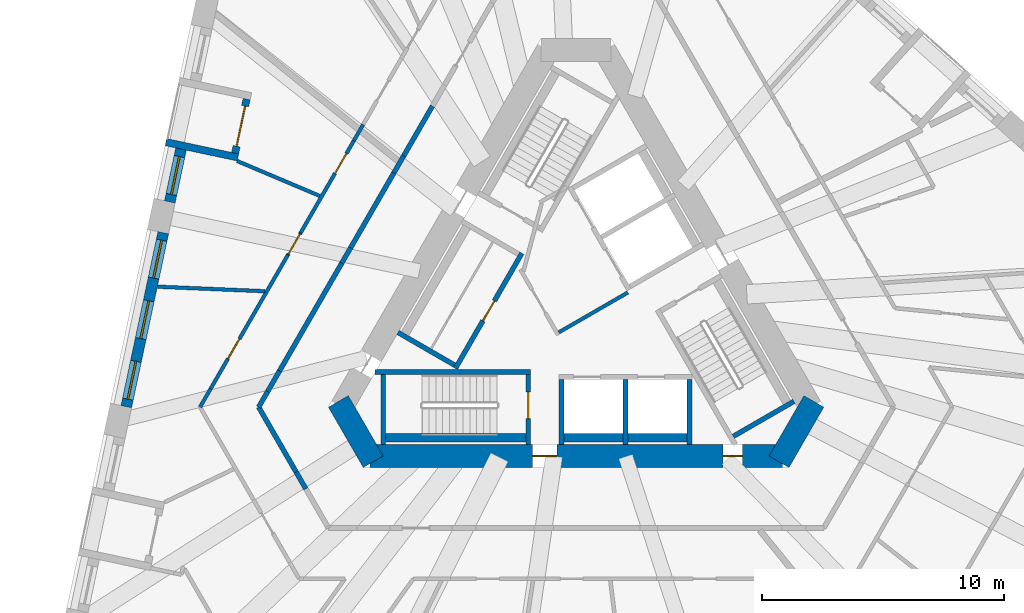
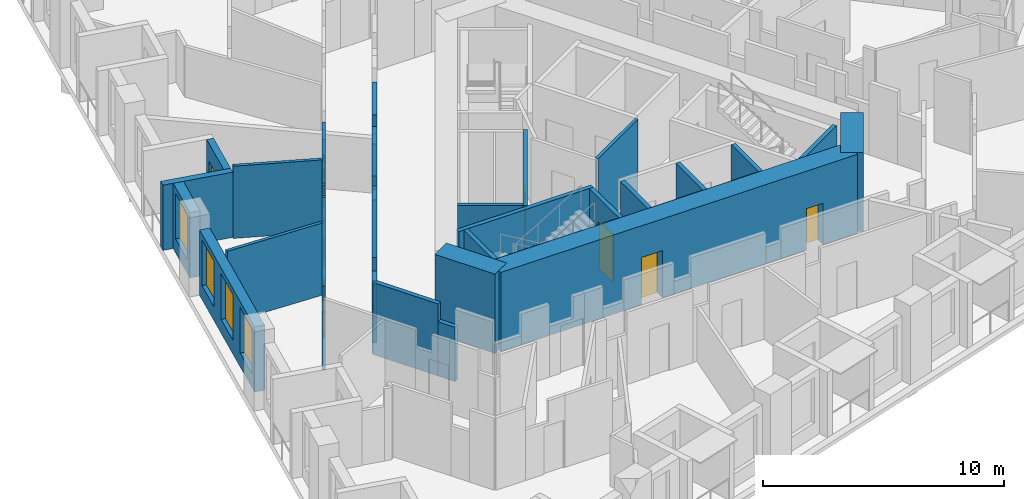
# One storey, part 4 of 13: 35 walls, 8 doors, 4 windows, 12 openings.
"""IFC4 building model written with IfcOpenShell, lengths in metres."""

from ifc_helpers import new_model, si_unit, direction, frame, frame_2d, origin, place, context, subcontext, project, spatial, polyline, rectangle, outline, extrude, material, layer, layer_set, type_object, element, fill, save


model = new_model("IFC4")

# Units and contexts
model_context = context("Model", 3, precision=1e-05, world=origin(), true_north=direction((0.0, 1.0)))
body_context = subcontext(model_context, "Body", "Model", "MODEL_VIEW")
ifc_project = project(units=[si_unit("LENGTHUNIT", "METRE"), si_unit("AREAUNIT", "SQUARE_METRE"), si_unit("VOLUMEUNIT", "CUBIC_METRE"), si_unit("PLANEANGLEUNIT", "RADIAN"), si_unit("MASSUNIT", "GRAM", prefix="KILO")], contexts=[model_context])

# Site, building, storey
site_placement = place(None, origin())
site = spatial("IfcSite", under=ifc_project, at=site_placement, CompositionType="ELEMENT")
building_placement = place(site_placement, origin())
building = spatial("IfcBuilding", under=site, at=building_placement, Name="Tramontana Tower", CompositionType="ELEMENT")
storey_placement = place(building_placement, frame((0.0, 0.0, 112.39990234375)))
storey = spatial("IfcBuildingStorey", under=building, at=storey_placement, Name="L25", CompositionType="ELEMENT", Elevation=112.39990234375)

# Wall
ifc_material_1 = material(Name="Concrete 70 MPa", Category="concrete")
ifc_layer_1 = layer(ifc_material_1, 0.949951171875)
ifc_layer_set_1 = layer_set([ifc_layer_1], Name="Core wall 950 70 MPa")
wall_type_1 = type_object("IfcWallType", Name="Core wall 950 70 MPa", PredefinedType="SHEAR", material=ifc_layer_set_1)
wall_1_placement = place(storey_placement, frame((-9.836669921875, -4.012451171875, 0.0), z_axis=(0.0, 0.0, 1.0), x_axis=(0.499995765644, -0.866027848477, 0.0)))
element("IfcWall", 1, at=wall_1_placement, inside=storey, type_object=wall_type_1, Name="Core wall C2 L25", PredefinedType="SHEAR", context=body_context, shape_type="SweptSolid", body=[
    extrude(rectangle(XDim=2.88671875, YDim=0.949951171875, at=frame_2d((1.443359375, 0.0))), origin(), (0.0, 0.0, 1.0), 4.0),
])

# Wall, openings, doors
wall_2_placement = place(storey_placement, frame((-8.530517578125, -6.27490234375, 0.0), z_axis=(0.0, 0.0, 1.0), x_axis=(1.0, 0.0, 0.0)))
wall_2 = element("IfcWall", 2, at=wall_2_placement, inside=storey, type_object=wall_type_1, Name="Core wall C3 L25", PredefinedType="SHEAR", context=body_context, shape_type="SweptSolid", body=[
    extrude(rectangle(XDim=17.06103515625, YDim=0.949951171875, at=frame_2d((8.530517578125, 0.0))), origin(), (0.0, 0.0, 1.0), 4.0),
])
opening_1_placement = place(wall_2_placement, frame((6.7353515625, 0.0, 0.0)))
opening_1 = element("IfcOpeningElement", 3, at=opening_1_placement, cuts=wall_2, Name="Opening RG2", PredefinedType="OPENING", context=body_context, shape_type="SweptSolid", body=[
    extrude(rectangle(XDim=1.0, YDim=2.39990234375, at=frame_2d((0.5, 1.199951171875))), frame((0.0, 0.48486328125, 0.0), z_axis=(0.0, -1.0, 0.0), x_axis=(1.0, 0.0, 0.0)), (0.0, 0.0, 1.0), 0.969970703125),
])
opening_2_placement = place(wall_2_placement, frame((14.61279296875, 0.0, 0.0)))
opening_2 = element("IfcOpeningElement", 4, at=opening_2_placement, cuts=wall_2, Name="Opening PD2", PredefinedType="OPENING", context=body_context, shape_type="SweptSolid", body=[
    extrude(rectangle(XDim=0.800048828125, YDim=2.10009765625, at=frame_2d((0.39990234375, 1.050048828125))), frame((0.0, 0.48486328125, 0.0), z_axis=(0.0, -1.0, 0.0), x_axis=(1.0, 0.0, 0.0)), (0.0, 0.0, 1.0), 0.969970703125),
])
ifc_material_2 = material(Name="Painted steel", Category="steel")
door_type_1 = type_object("IfcDoorType", Name="CUPBOARD DOOR 800", OperationType="SINGLE_SWING_LEFT", PredefinedType="DOOR", material=ifc_material_2)
door_1_placement = place(opening_2_placement, origin())
door_1 = element("IfcDoor", 5, at=door_1_placement, inside=storey, type_object=door_type_1, Name="Door PD2", OperationType="SINGLE_SWING_RIGHT", OverallHeight=2.10009765625, OverallWidth=0.800048828125, PredefinedType="DOOR", context=body_context, shape_type="SweptSolid", body=[
    extrude(rectangle(XDim=0.800048828125, YDim=2.10009765625, at=frame_2d((0.39990234375, 1.050048828125))), frame((0.0, 0.02490234375, 0.0), z_axis=(0.0, -1.0, 0.0), x_axis=(1.0, 0.0, 0.0)), (0.0, 0.0, 1.0), 0.050048828125),
])
fill(opening_2, door_1)
ifc_material_3 = material(Name="Painted steel", Category="steel")
door_type_2 = type_object("IfcDoorType", Name="RING DOOR 1000", OperationType="SINGLE_SWING_LEFT", PredefinedType="DOOR", material=ifc_material_3)
door_2_placement = place(opening_1_placement, origin())
door_2 = element("IfcDoor", 6, at=door_2_placement, inside=storey, type_object=door_type_2, Name="Door RG2", OperationType="SINGLE_SWING_LEFT", OverallHeight=2.39990234375, OverallWidth=1.0, PredefinedType="DOOR", context=body_context, shape_type="SweptSolid", body=[
    extrude(rectangle(XDim=1.0, YDim=2.39990234375, at=frame_2d((0.5, 1.199951171875))), frame((0.0, 0.02490234375, 0.0), z_axis=(0.0, -1.0, 0.0), x_axis=(1.0, 0.0, 0.0)), (0.0, 0.0, 1.0), 0.050048828125),
])
fill(opening_1, door_2)

# Walls
wall_3_placement = place(storey_placement, frame((8.393310546875, -6.512451171875, 0.0), z_axis=(0.0, 0.0, 1.0), x_axis=(0.499995765644, 0.866027848477, 0.0)))
element("IfcWall", 7, at=wall_3_placement, inside=storey, type_object=wall_type_1, Name="Core wall C4 L25", PredefinedType="SHEAR", context=body_context, shape_type="SweptSolid", body=[
    extrude(rectangle(XDim=2.88671875, YDim=0.949951171875, at=frame_2d((1.443359375, 0.0))), origin(), (0.0, 0.0, 1.0), 4.0),
])
ifc_material_4 = material(Name="Blockwork", Category="masonry")
ifc_layer_2 = layer(ifc_material_4, 0.199951171875)
ifc_layer_set_2 = layer_set([ifc_layer_2], Name="ENTRY WALL 200")
wall_type_2 = type_object("IfcWallType", Name="ENTRY WALL 200", PredefinedType="SOLIDWALL", material=ifc_layer_set_2)
wall_4_placement = place(storey_placement, frame((-11.181884765625, -7.63232421875, 0.0), z_axis=(0.0, 0.0, 1.0), x_axis=(-0.499942357345, 0.866058681229, 0.0)))
element("IfcWall", 8, at=wall_4_placement, inside=storey, type_object=wall_type_2, Name="Wall v22-ew3-2", PredefinedType="SOLIDWALL", context=body_context, shape_type="SweptSolid", body=[
    extrude(rectangle(XDim=0.80078125, YDim=0.199951171875, at=frame_2d((0.400390625, 0.0))), origin(), (0.0, 0.0, 1.0), 2.75),
])
wall_5_placement = place(storey_placement, frame((-11.582275390625, -6.938720703125, 0.0), z_axis=(0.0, 0.0, 1.0), x_axis=(-0.500037831766, 0.866003560503, 0.0)))
element("IfcWall", 9, at=wall_5_placement, inside=storey, type_object=wall_type_2, Name="Wall v22-ew3-3", PredefinedType="SOLIDWALL", context=body_context, shape_type="SweptSolid", body=[
    extrude(rectangle(XDim=3.104736328125, YDim=0.199951171875, at=frame_2d((1.55224609375, 0.0))), origin(), (0.0, 0.0, 1.0), 3.650146484375),
])
wall_6_placement = place(storey_placement, frame((-13.134765625, -4.25, 0.0), z_axis=(0.0, 0.0, 1.0), x_axis=(0.499987686533, 0.866032512851, 0.0)))
element("IfcWall", 10, at=wall_6_placement, inside=storey, type_object=wall_type_2, Name="Wall v22-ew4-0", PredefinedType="SOLIDWALL", context=body_context, shape_type="SweptSolid", body=[
    extrude(rectangle(XDim=0.74365234375, YDim=0.199951171875, at=frame_2d((0.371826171875, 0.0))), origin(), (0.0, 0.0, 1.0), 3.650146484375),
])
wall_7_placement = place(storey_placement, frame((-12.762939453125, -3.60595703125, 0.0), z_axis=(0.0, 0.0, 1.0), x_axis=(0.500061185694, 0.865990075325, 0.0)))
element("IfcWall", 11, at=wall_7_placement, inside=storey, type_object=wall_type_2, Name="Wall v22-ew4-1", PredefinedType="SOLIDWALL", context=body_context, shape_type="SweptSolid", body=[
    extrude(rectangle(XDim=0.9775390625, YDim=0.199951171875, at=frame_2d((0.48876953125, 0.0))), origin(), (0.0, 0.0, 1.0), 2.9501953125),
])
wall_8_placement = place(storey_placement, frame((-12.274169921875, -2.759521484375, 0.0), z_axis=(0.0, 0.0, 1.0), x_axis=(0.500001317485, 0.866024643133, 0.0)))
element("IfcWall", 12, at=wall_8_placement, inside=storey, type_object=wall_type_2, Name="Wall v22-ew4-2", PredefinedType="SOLIDWALL", context=body_context, shape_type="SweptSolid", body=[
    extrude(rectangle(XDim=5.1533203125, YDim=0.199951171875, at=frame_2d((2.57666015625, 0.0))), origin(), (0.0, 0.0, 1.0), 3.650146484375),
])
wall_9_placement = place(storey_placement, frame((-9.697509765625, 1.703369140625, 0.0), z_axis=(0.0, 0.0, 1.0), x_axis=(0.499885169746, 0.866091690913, 0.0)))
element("IfcWall", 13, at=wall_9_placement, inside=storey, type_object=wall_type_2, Name="Wall v22-ew4-3", PredefinedType="SOLIDWALL", context=body_context, shape_type="SweptSolid", body=[
    extrude(rectangle(XDim=0.736083984375, YDim=0.199951171875, at=frame_2d((0.3681640625, 0.0))), origin(), (0.0, 0.0, 1.0), 2.9501953125),
])
wall_10_placement = place(storey_placement, frame((-9.32958984375, 2.3408203125, 0.0), z_axis=(0.0, 0.0, 1.0), x_axis=(0.500029679218, 0.866008267802, 0.0)))
element("IfcWall", 14, at=wall_10_placement, inside=storey, type_object=wall_type_2, Name="Wall v22-ew4-4", PredefinedType="SOLIDWALL", context=body_context, shape_type="SweptSolid", body=[
    extrude(rectangle(XDim=3.576904296875, YDim=0.199951171875, at=frame_2d((1.78857421875, 0.0))), origin(), (0.0, 0.0, 1.0), 3.650146484375),
])
wall_11_placement = place(storey_placement, frame((-7.541015625, 5.4384765625, 0.0), z_axis=(0.0, 0.0, 1.0), x_axis=(0.499809598504, 0.866135304236, 0.0)))
element("IfcWall", 15, at=wall_11_placement, inside=storey, type_object=wall_type_2, Name="Wall v22-ew4-5", PredefinedType="SOLIDWALL", context=body_context, shape_type="SweptSolid", body=[
    extrude(rectangle(XDim=0.808349609375, YDim=0.199951171875, at=frame_2d((0.404296875, 0.0))), origin(), (0.0, 0.0, 1.0), 2.75),
])
wall_12_placement = place(storey_placement, frame((-7.136962890625, 6.138671875, 0.0), z_axis=(0.0, 0.0, 1.0), x_axis=(0.500035462246, 0.866004928679, 0.0)))
element("IfcWall", 16, at=wall_12_placement, inside=storey, type_object=wall_type_2, Name="Wall v22-ew4-6", PredefinedType="SOLIDWALL", context=body_context, shape_type="SweptSolid", body=[
    extrude(rectangle(XDim=2.385498046875, YDim=0.199951171875, at=frame_2d((1.19287109375, 0.0))), origin(), (0.0, 0.0, 1.0), 3.650146484375),
])

# Wall, opening, window
ifc_material_5 = material(Name="Precast concrete 60 MPa", Category="concrete")
ifc_layer_3 = layer(ifc_material_5, 0.449951171875)
ifc_layer_set_3 = layer_set([ifc_layer_3], Name="Precast concrete 60 MPa, 450 mm")
wall_type_3 = type_object("IfcWallType", Name="EW1 Stone-faced precast wall 450", PredefinedType="SOLIDWALL", material=ifc_layer_set_3)
wall_13_placement = place(storey_placement, frame((-16.34619140625, 6.42578125, 0.0), z_axis=(0.0, 0.0, 1.0), x_axis=(-0.207918801611, -0.978146089261, 0.0)))
wall_13 = element("IfcWall", 17, at=wall_13_placement, inside=storey, type_object=wall_type_3, Name="External wall L25 face 0 bay 3", PredefinedType="SOLIDWALL", context=body_context, shape_type="SweptSolid", body=[
    extrude(rectangle(XDim=2.23681640625, YDim=0.449951171875, at=frame_2d((1.118408203125, 0.0))), origin(), (0.0, 0.0, 1.0), 3.300048828125),
])
opening_3_placement = place(wall_13_placement, frame((0.318359375, 0.0, 0.699951171875)))
opening_3 = element("IfcOpeningElement", 18, at=opening_3_placement, cuts=wall_13, Name="Opening M1", PredefinedType="OPENING", context=body_context, shape_type="SweptSolid", body=[
    extrude(rectangle(XDim=1.60009765625, YDim=2.300048828125, at=frame_2d((0.800048828125, 1.14990234375))), frame((0.0, 0.23486328125, 0.0), z_axis=(0.0, -1.0, 0.0), x_axis=(1.0, 0.0, 0.0)), (0.0, 0.0, 1.0), 0.469970703125),
])
ifc_material_6 = material(Name="Aluminum frame, double glazing unit", Category="aluminium")
window_type = type_object("IfcWindowType", Name="M1 Window 1.6 x 2.3", PartitioningType="SINGLE_PANEL", PredefinedType="WINDOW", material=ifc_material_6)
window_1_placement = place(opening_3_placement, origin())
window_1 = element("IfcWindow", 19, at=window_1_placement, inside=storey, type_object=window_type, Name="Window M1 L25 face 0 module 9", OverallHeight=2.300048828125, OverallWidth=1.60009765625, PartitioningType="SINGLE_PANEL", PredefinedType="WINDOW", context=body_context, shape_type="SweptSolid", body=[
    extrude(rectangle(XDim=1.60009765625, YDim=2.300048828125, at=frame_2d((0.800048828125, 1.14990234375))), frame((0.0, 0.030029296875, 0.0), z_axis=(0.0, -1.0, 0.0), x_axis=(1.0, 0.0, 0.0)), (0.0, 0.0, 1.0), 0.06005859375),
])
fill(opening_3, window_1)

# Wall, openings, windows
wall_14_placement = place(storey_placement, frame((-17.08154296875, 2.96630859375, 0.0), z_axis=(0.0, 0.0, 1.0), x_axis=(-0.207909137741, -0.978148143403, 0.0)))
wall_14 = element("IfcWall", 20, at=wall_14_placement, inside=storey, type_object=wall_type_3, Name="External wall L25 face 0 bay 4", PredefinedType="SOLIDWALL", context=body_context, shape_type="SweptSolid", body=[
    extrude(rectangle(XDim=7.3603515625, YDim=0.449951171875, at=frame_2d((3.68017578125, 0.0))), origin(), (0.0, 0.0, 1.0), 3.300048828125),
])
opening_4_placement = place(wall_14_placement, frame((0.318359375, 0.0, 0.699951171875)))
opening_4 = element("IfcOpeningElement", 21, at=opening_4_placement, cuts=wall_14, Name="Opening M1", PredefinedType="OPENING", context=body_context, shape_type="SweptSolid", body=[
    extrude(rectangle(XDim=1.60009765625, YDim=2.300048828125, at=frame_2d((0.800048828125, 1.14990234375))), frame((0.0, 0.23486328125, 0.0), z_axis=(0.0, -1.0, 0.0), x_axis=(1.0, 0.0, 0.0)), (0.0, 0.0, 1.0), 0.469970703125),
])
opening_5_placement = place(wall_14_placement, frame((2.880126953125, 0.0, 0.699951171875)))
opening_5 = element("IfcOpeningElement", 22, at=opening_5_placement, cuts=wall_14, Name="Opening M1", PredefinedType="OPENING", context=body_context, shape_type="SweptSolid", body=[
    extrude(rectangle(XDim=1.60009765625, YDim=2.300048828125, at=frame_2d((0.800048828125, 1.14990234375))), frame((0.0, 0.23486328125, 0.0), z_axis=(0.0, -1.0, 0.0), x_axis=(1.0, 0.0, 0.0)), (0.0, 0.0, 1.0), 0.469970703125),
])
opening_6_placement = place(wall_14_placement, frame((5.44189453125, 0.0, 0.699951171875)))
opening_6 = element("IfcOpeningElement", 23, at=opening_6_placement, cuts=wall_14, Name="Opening M1", PredefinedType="OPENING", context=body_context, shape_type="SweptSolid", body=[
    extrude(rectangle(XDim=1.60009765625, YDim=2.300048828125, at=frame_2d((0.800048828125, 1.14990234375))), frame((0.0, 0.23486328125, 0.0), z_axis=(0.0, -1.0, 0.0), x_axis=(1.0, 0.0, 0.0)), (0.0, 0.0, 1.0), 0.469970703125),
])
window_2_placement = place(opening_4_placement, origin())
window_2 = element("IfcWindow", 24, at=window_2_placement, inside=storey, type_object=window_type, Name="Window M1 L25 face 0 module 10", OverallHeight=2.300048828125, OverallWidth=1.60009765625, PartitioningType="SINGLE_PANEL", PredefinedType="WINDOW", context=body_context, shape_type="SweptSolid", body=[
    extrude(rectangle(XDim=1.60009765625, YDim=2.300048828125, at=frame_2d((0.800048828125, 1.14990234375))), frame((0.0, 0.030029296875, 0.0), z_axis=(0.0, -1.0, 0.0), x_axis=(1.0, 0.0, 0.0)), (0.0, 0.0, 1.0), 0.06005859375),
])
fill(opening_4, window_2)
window_3_placement = place(opening_5_placement, origin())
window_3 = element("IfcWindow", 25, at=window_3_placement, inside=storey, type_object=window_type, Name="Window M1 L25 face 0 module 11", OverallHeight=2.300048828125, OverallWidth=1.60009765625, PartitioningType="SINGLE_PANEL", PredefinedType="WINDOW", context=body_context, shape_type="SweptSolid", body=[
    extrude(rectangle(XDim=1.60009765625, YDim=2.300048828125, at=frame_2d((0.800048828125, 1.14990234375))), frame((0.0, 0.030029296875, 0.0), z_axis=(0.0, -1.0, 0.0), x_axis=(1.0, 0.0, 0.0)), (0.0, 0.0, 1.0), 0.06005859375),
])
fill(opening_5, window_3)
window_4_placement = place(opening_6_placement, origin())
window_4 = element("IfcWindow", 26, at=window_4_placement, inside=storey, type_object=window_type, Name="Window M1 L25 face 0 module 12", OverallHeight=2.300048828125, OverallWidth=1.60009765625, PartitioningType="SINGLE_PANEL", PredefinedType="WINDOW", context=body_context, shape_type="SweptSolid", body=[
    extrude(rectangle(XDim=1.60009765625, YDim=2.300048828125, at=frame_2d((0.800048828125, 1.14990234375))), frame((0.0, 0.030029296875, 0.0), z_axis=(0.0, -1.0, 0.0), x_axis=(1.0, 0.0, 0.0)), (0.0, 0.0, 1.0), 0.06005859375),
])
fill(opening_6, window_4)

# Wall, opening, door
ifc_material_7 = material(Name="Precast concrete 60 MPa", Category="concrete")
ifc_layer_4 = layer(ifc_material_7, 0.300048828125)
ifc_layer_set_4 = layer_set([ifc_layer_4], Name="LW1 Stone-faced loggia wall 300")
wall_type_4 = type_object("IfcWallType", Name="LW1 Stone-faced loggia wall 300", PredefinedType="SOLIDWALL", material=ifc_layer_set_4)
wall_15_placement = place(storey_placement, frame((-13.632080078125, 8.493408203125, 0.0), z_axis=(0.0, 0.0, 1.0), x_axis=(-0.207866417042, -0.978157222877, 0.0)))
wall_15 = element("IfcWall", 27, at=wall_15_placement, inside=storey, type_object=wall_type_4, Name="Loggia wall L25 G2S0.7", PredefinedType="SOLIDWALL", context=body_context, shape_type="SweptSolid", body=[
    extrude(rectangle(XDim=2.286865234375, YDim=0.300048828125, at=frame_2d((1.1435546875, 0.0))), origin(), (0.0, 0.0, 1.0), 3.300048828125),
])
opening_7_placement = place(wall_15_placement, frame((0.29345703125, 0.0, 0.0)))
opening_7 = element("IfcOpeningElement", 28, at=opening_7_placement, cuts=wall_15, Name="Opening BD-2S0-07", PredefinedType="OPENING", context=body_context, shape_type="SweptSolid", body=[
    extrude(rectangle(XDim=1.699951171875, YDim=2.39990234375, at=frame_2d((0.85009765625, 1.199951171875))), frame((0.0, 0.159912109375, 0.0), z_axis=(0.0, -1.0, 0.0), x_axis=(1.0, 0.0, 0.0)), (0.0, 0.0, 1.0), 0.320068359375),
])
ifc_material_8 = material(Name="Aluminum frame, double glazing unit", Category="aluminium")
door_type_3 = type_object("IfcDoorType", Name="BD1 Sliding door 1.7 x 2.4", OperationType="SLIDING_TO_LEFT", PredefinedType="DOOR", material=ifc_material_8)
door_3_placement = place(opening_7_placement, origin())
door_3 = element("IfcDoor", 29, at=door_3_placement, inside=storey, type_object=door_type_3, Name="Loggia door L25 G2S0.7", OperationType="SLIDING_TO_LEFT", OverallHeight=2.39990234375, OverallWidth=1.699951171875, PredefinedType="DOOR", context=body_context, shape_type="SweptSolid", body=[
    extrude(rectangle(XDim=1.699951171875, YDim=2.39990234375, at=frame_2d((0.85009765625, 1.199951171875))), frame((0.0, 0.02490234375, 0.0), z_axis=(0.0, -1.0, 0.0), x_axis=(1.0, 0.0, 0.0)), (0.0, 0.0, 1.0), 0.050048828125),
])
fill(opening_7, door_3)

# Walls
wall_16_placement = place(storey_placement, frame((-16.975341796875, 6.712890625, 0.0), z_axis=(0.0, 0.0, 1.0), x_axis=(0.978138503145, -0.207954487003, 0.0)))
element("IfcWall", 30, at=wall_16_placement, inside=storey, type_object=wall_type_4, Name="Loggia return L25 G2S0.7b", PredefinedType="SOLIDWALL", context=body_context, shape_type="SweptSolid", body=[
    extrude(rectangle(XDim=3.050048828125, YDim=0.300048828125, at=frame_2d((1.52490234375, 0.0))), origin(), (0.0, 0.0, 1.0), 3.300048828125),
])
ifc_material_9 = material(Name="Gypsum board partition")
ifc_layer_5 = layer(ifc_material_9, 0.14990234375)
ifc_layer_set_5 = layer_set([ifc_layer_5], Name="PARTITION 150")
wall_type_5 = type_object("IfcWallType", Name="PARTITION 150", PredefinedType="PARTITIONING", material=ifc_layer_set_5)
wall_17_placement = place(storey_placement, frame((-0.716796875, -1.15869140625, 0.0), z_axis=(0.0, 0.0, 1.0), x_axis=(0.866008176907, 0.50002983664, 0.0)))
element("IfcWall", 31, at=wall_17_placement, inside=storey, type_object=wall_type_5, Name="Wall ff-end0", PredefinedType="PARTITIONING", context=body_context, shape_type="SweptSolid", body=[
    extrude(rectangle(XDim=3.300048828125, YDim=0.14990234375, at=frame_2d((1.64990234375, 0.0))), origin(), (0.0, 0.0, 1.0), 3.650146484375),
])
wall_18_placement = place(storey_placement, frame((-17.326416015625, 0.731689453125, 0.0), z_axis=(0.0, 0.0, 1.0), x_axis=(0.999108089959, -0.042225875694, 0.0)))
element("IfcWall", 32, at=wall_18_placement, inside=storey, type_object=wall_type_5, Name="Wall v22-pw00", PredefinedType="PARTITIONING", context=body_context, shape_type="SweptSolid", body=[
    extrude(rectangle(XDim=4.451904296875, YDim=0.14990234375, at=frame_2d((2.22607421875, 0.0))), origin(), (0.0, 0.0, 1.0), 3.650146484375),
])
wall_19_placement = place(storey_placement, frame((-15.5595703125, -4.25, 0.0), z_axis=(0.0, 0.0, 1.0), x_axis=(0.499884524299, 0.866092063448, 0.0)))
element("IfcWall", 33, at=wall_19_placement, inside=storey, type_object=wall_type_5, Name="Wall v22-pw04-0", PredefinedType="PARTITIONING", context=body_context, shape_type="SweptSolid", body=[
    extrude(rectangle(XDim=0.869384765625, YDim=0.14990234375, at=frame_2d((0.4345703125, 0.0))), origin(), (0.0, 0.0, 1.0), 2.9501953125),
])

# Wall, opening, door
wall_20_placement = place(storey_placement, frame((-15.125, -3.4970703125, 0.0), z_axis=(0.0, 0.0, 1.0), x_axis=(0.500005447918, 0.866022258404, 0.0)))
wall_20 = element("IfcWall", 34, at=wall_20_placement, inside=storey, type_object=wall_type_5, Name="Wall v22-pw04-1", PredefinedType="PARTITIONING", context=body_context, shape_type="SweptSolid", body=[
    extrude(rectangle(XDim=6.3974609375, YDim=0.14990234375, at=frame_2d((3.19873046875, 0.0))), origin(), (0.0, 0.0, 1.0), 3.650146484375),
])
opening_8_placement = place(wall_20_placement, frame((1.44287109375, 0.0, 0.0)))
opening_8 = element("IfcOpeningElement", 35, at=opening_8_placement, cuts=wall_20, Name="Opening B2C-09", PredefinedType="OPENING", context=body_context, shape_type="SweptSolid", body=[
    extrude(rectangle(XDim=0.949951171875, YDim=2.39990234375, at=frame_2d((0.47509765625, 1.199951171875))), frame((0.0, 0.0849609375, 0.0), z_axis=(0.0, -1.0, 0.0), x_axis=(1.0, 0.0, 0.0)), (0.0, 0.0, 1.0), 0.169921875),
])
ifc_material_10 = material(Name="Painted timber", Category="wood")
door_type_4 = type_object("IfcDoorType", Name="DOOR ROOM 950", OperationType="SINGLE_SWING_LEFT", PredefinedType="DOOR", material=ifc_material_10)
door_4_placement = place(opening_8_placement, origin())
door_4 = element("IfcDoor", 36, at=door_4_placement, inside=storey, type_object=door_type_4, Name="Door B2C-09", OperationType="SINGLE_SWING_LEFT", OverallHeight=2.39990234375, OverallWidth=0.949951171875, PredefinedType="DOOR", context=body_context, shape_type="SweptSolid", body=[
    extrude(rectangle(XDim=0.949951171875, YDim=2.39990234375, at=frame_2d((0.47509765625, 1.199951171875))), frame((0.0, 0.02490234375, 0.0), z_axis=(0.0, -1.0, 0.0), x_axis=(1.0, 0.0, 0.0)), (0.0, 0.0, 1.0), 0.050048828125),
])
fill(opening_8, door_4)

wall_21_placement = place(storey_placement, frame((-11.92626953125, 2.043212890625, 0.0), z_axis=(0.0, 0.0, 1.0), x_axis=(0.500165247297, 0.86592997719, 0.0)))
wall_21 = element("IfcWall", 37, at=wall_21_placement, inside=storey, type_object=wall_type_5, Name="Wall v22-pw04-2", PredefinedType="PARTITIONING", context=body_context, shape_type="SweptSolid", body=[
    extrude(outline(polyline([(0.0, 0.0), (1.050048828125, 0.0), (1.050048828125, 3.650146484375), (0.86083984375, 3.650146484375), (0.86083984375, 2.9501953125), (0.15087890625, 2.9501953125), (0.15087890625, 3.650146484375), (0.0, 3.650146484375), (0.0, 0.0)])), frame((0.0, 0.074951171875, 0.0), z_axis=(0.0, -1.0, 0.0), x_axis=(1.0, 0.0, 0.0)), (0.0, 0.0, 1.0), 0.14990234375),
])
opening_9_placement = place(wall_21_placement, frame((0.050048828125, 0.0, 0.0)))
opening_9 = element("IfcOpeningElement", 38, at=opening_9_placement, cuts=wall_21, Name="Opening B2C-10", PredefinedType="OPENING", context=body_context, shape_type="SweptSolid", body=[
    extrude(rectangle(XDim=0.949951171875, YDim=2.39990234375, at=frame_2d((0.47509765625, 1.199951171875))), frame((0.0, 0.0849609375, 0.0), z_axis=(0.0, -1.0, 0.0), x_axis=(1.0, 0.0, 0.0)), (0.0, 0.0, 1.0), 0.169921875),
])
door_5_placement = place(opening_9_placement, origin())
door_5 = element("IfcDoor", 39, at=door_5_placement, inside=storey, type_object=door_type_4, Name="Door B2C-10", OperationType="SINGLE_SWING_RIGHT", OverallHeight=2.39990234375, OverallWidth=0.949951171875, PredefinedType="DOOR", context=body_context, shape_type="SweptSolid", body=[
    extrude(rectangle(XDim=0.949951171875, YDim=2.39990234375, at=frame_2d((0.47509765625, 1.199951171875))), frame((0.0, 0.02490234375, 0.0), z_axis=(0.0, -1.0, 0.0), x_axis=(1.0, 0.0, 0.0)), (0.0, 0.0, 1.0), 0.050048828125),
])
fill(opening_9, door_5)

wall_22_placement = place(storey_placement, frame((-11.401123046875, 2.952392578125, 0.0), z_axis=(0.0, 0.0, 1.0), x_axis=(0.499957765443, 0.866049786544, 0.0)))
wall_22 = element("IfcWall", 40, at=wall_22_placement, inside=storey, type_object=wall_type_5, Name="Wall v22-pw04-3", PredefinedType="PARTITIONING", context=body_context, shape_type="SweptSolid", body=[
    extrude(rectangle(XDim=4.40087890625, YDim=0.14990234375, at=frame_2d((2.200439453125, 0.0))), origin(), (0.0, 0.0, 1.0), 3.650146484375),
])
opening_10_placement = place(wall_22_placement, frame((2.847900390625, 0.0, 0.0)))
opening_10 = element("IfcOpeningElement", 41, at=opening_10_placement, cuts=wall_22, Name="Opening B2C-11", PredefinedType="OPENING", context=body_context, shape_type="SweptSolid", body=[
    extrude(rectangle(XDim=0.949951171875, YDim=2.39990234375, at=frame_2d((0.47509765625, 1.199951171875))), frame((0.0, 0.0849609375, 0.0), z_axis=(0.0, -1.0, 0.0), x_axis=(1.0, 0.0, 0.0)), (0.0, 0.0, 1.0), 0.169921875),
])
door_6_placement = place(opening_10_placement, origin())
door_6 = element("IfcDoor", 42, at=door_6_placement, inside=storey, type_object=door_type_4, Name="Door B2C-11", OperationType="SINGLE_SWING_LEFT", OverallHeight=2.39990234375, OverallWidth=0.949951171875, PredefinedType="DOOR", context=body_context, shape_type="SweptSolid", body=[
    extrude(rectangle(XDim=0.949951171875, YDim=2.39990234375, at=frame_2d((0.47509765625, 1.199951171875))), frame((0.0, 0.02490234375, 0.0), z_axis=(0.0, -1.0, 0.0), x_axis=(1.0, 0.0, 0.0)), (0.0, 0.0, 1.0), 0.050048828125),
])
fill(opening_10, door_6)

# Walls
wall_23_placement = place(storey_placement, frame((-9.200927734375, 6.763671875, 0.0), z_axis=(0.0, 0.0, 1.0), x_axis=(0.500028278809, 0.866009076391, 0.0)))
element("IfcWall", 43, at=wall_23_placement, inside=storey, type_object=wall_type_5, Name="Wall v22-pw04-4", PredefinedType="PARTITIONING", context=body_context, shape_type="SweptSolid", body=[
    extrude(rectangle(XDim=0.783203125, YDim=0.14990234375, at=frame_2d((0.3916015625, 0.0))), origin(), (0.0, 0.0, 1.0), 2.75),
])
wall_24_placement = place(storey_placement, frame((-14.023193359375, 5.931884765625, 0.0), z_axis=(0.0, 0.0, 1.0), x_axis=(0.920988119106, -0.389590662704, 0.0)))
element("IfcWall", 44, at=wall_24_placement, inside=storey, type_object=wall_type_5, Name="Wall v22-pw05", PredefinedType="PARTITIONING", context=body_context, shape_type="SweptSolid", body=[
    extrude(rectangle(XDim=3.713623046875, YDim=0.14990234375, at=frame_2d((1.85693359375, 0.0))), origin(), (0.0, 0.0, 1.0), 3.650146484375),
])
ifc_material_11 = material(Name="Concrete 70 MPa", Category="concrete")
ifc_layer_6 = layer(ifc_material_11, 0.35009765625)
ifc_layer_set_6 = layer_set([ifc_layer_6], Name="Concrete 70 MPa, 350 mm")
wall_type_6 = type_object("IfcWallType", Name="RC SHAFT BACK WALL 350", PredefinedType="SOLIDWALL", material=ifc_layer_set_6)
wall_25_placement = place(storey_placement, frame((-8.080078125, -5.52490234375, 0.0), z_axis=(0.0, 0.0, 1.0), x_axis=(1.0, 0.0, 0.0)))
element("IfcWall", 45, at=wall_25_placement, inside=storey, type_object=wall_type_6, Name="Wall st2-back", PredefinedType="SOLIDWALL", context=body_context, shape_type="SweptSolid", body=[
    extrude(rectangle(XDim=6.2001953125, YDim=0.35009765625, at=frame_2d((3.10009765625, 0.0))), origin(), (0.0, 0.0, 1.0), 3.650146484375),
])
wall_26_placement = place(storey_placement, frame((-0.7099609375, -5.52490234375, 0.0), z_axis=(0.0, 0.0, 1.0), x_axis=(1.0, 0.0, 0.0)))
element("IfcWall", 46, at=wall_26_placement, inside=storey, type_object=wall_type_6, Name="Wall row1-back", PredefinedType="SOLIDWALL", context=body_context, shape_type="SweptSolid", body=[
    extrude(rectangle(XDim=5.5, YDim=0.35009765625, at=frame_2d((2.75, 0.0))), origin(), (0.0, 0.0, 1.0), 3.650146484375),
])
ifc_material_12 = material(Name="Concrete 70 MPa", Category="concrete")
ifc_layer_7 = layer(ifc_material_12, 0.199951171875)
ifc_layer_set_7 = layer_set([ifc_layer_7], Name="Concrete 70 MPa, 200 mm")
wall_type_7 = type_object("IfcWallType", Name="RC STAIR AND SHAFT WALL 200", PredefinedType="SOLIDWALL", material=ifc_layer_set_7)
wall_27_placement = place(storey_placement, frame((-8.31396484375, -2.800048828125, 0.0), z_axis=(0.0, 0.0, 1.0), x_axis=(1.0, 0.0, 0.0)))
element("IfcWall", 47, at=wall_27_placement, inside=storey, type_object=wall_type_7, Name="Wall st2-front", PredefinedType="SOLIDWALL", context=body_context, shape_type="SweptSolid", body=[
    extrude(rectangle(XDim=6.43408203125, YDim=0.199951171875, at=frame_2d((3.217041015625, 0.0))), origin(), (0.0, 0.0, 1.0), 3.650146484375),
])
wall_28_placement = place(storey_placement, frame((-7.97998046875, -2.89990234375, 0.0), z_axis=(0.0, 0.0, 1.0), x_axis=(0.0, -1.0, 0.0)))
element("IfcWall", 48, at=wall_28_placement, inside=storey, type_object=wall_type_7, Name="Wall st2-far", PredefinedType="SOLIDWALL", context=body_context, shape_type="SweptSolid", body=[
    extrude(rectangle(XDim=2.900146484375, YDim=0.199951171875, at=frame_2d((1.4501953125, 0.0))), origin(), (0.0, 0.0, 1.0), 3.650146484375),
])

# Wall, opening, door
wall_29_placement = place(storey_placement, frame((-1.97998046875, -2.89990234375, 0.0), z_axis=(0.0, 0.0, 1.0), x_axis=(0.0, -1.0, 0.0)))
wall_29 = element("IfcWall", 49, at=wall_29_placement, inside=storey, type_object=wall_type_7, Name="Wall st2-near", PredefinedType="SOLIDWALL", context=body_context, shape_type="SweptSolid", body=[
    extrude(rectangle(XDim=2.900146484375, YDim=0.199951171875, at=frame_2d((1.4501953125, 0.0))), origin(), (0.0, 0.0, 1.0), 3.650146484375),
])
opening_11_placement = place(wall_29_placement, frame((0.72509765625, 0.0, 0.0)))
opening_11 = element("IfcOpeningElement", 50, at=opening_11_placement, cuts=wall_29, Name="Opening SD2", PredefinedType="OPENING", context=body_context, shape_type="SweptSolid", body=[
    extrude(rectangle(XDim=1.10009765625, YDim=2.39990234375, at=frame_2d((0.550048828125, 1.199951171875))), frame((0.0, 0.10986328125, 0.0), z_axis=(0.0, -1.0, 0.0), x_axis=(1.0, 0.0, 0.0)), (0.0, 0.0, 1.0), 0.219970703125),
])
ifc_material_13 = material(Name="Painted steel", Category="steel")
door_type_5 = type_object("IfcDoorType", Name="STAIR DOOR 1100", OperationType="SINGLE_SWING_LEFT", PredefinedType="DOOR", material=ifc_material_13)
door_7_placement = place(opening_11_placement, origin())
door_7 = element("IfcDoor", 51, at=door_7_placement, inside=storey, type_object=door_type_5, Name="Door SD2", OperationType="SINGLE_SWING_LEFT", OverallHeight=2.39990234375, OverallWidth=1.10009765625, PredefinedType="DOOR", context=body_context, shape_type="SweptSolid", body=[
    extrude(rectangle(XDim=1.10009765625, YDim=2.39990234375, at=frame_2d((0.550048828125, 1.199951171875))), frame((0.0, 0.02490234375, 0.0), z_axis=(0.0, -1.0, 0.0), x_axis=(1.0, 0.0, 0.0)), (0.0, 0.0, 1.0), 0.050048828125),
])
fill(opening_11, door_7)

# Wall
wall_30_placement = place(storey_placement, frame((6.50146484375, -5.4609375, 0.0), z_axis=(0.0, 0.0, 1.0), x_axis=(0.866032775405, 0.499987231761, 0.0)))
element("IfcWall", 52, at=wall_30_placement, inside=storey, type_object=wall_type_7, Name="Wall st3-far", PredefinedType="SOLIDWALL", context=body_context, shape_type="SweptSolid", body=[
    extrude(rectangle(XDim=2.89990234375, YDim=0.199951171875, at=frame_2d((1.449951171875, 0.0))), origin(), (0.0, 0.0, 1.0), 3.650146484375),
])

# Wall, opening, door
wall_31_placement = place(storey_placement, frame((-4.9931640625, -2.648193359375, 0.0), z_axis=(0.0, 0.0, 1.0), x_axis=(0.499996545922, 0.866027397988, 0.0)))
wall_31 = element("IfcWall", 53, at=wall_31_placement, inside=storey, type_object=wall_type_7, Name="Wall row0-front", PredefinedType="SOLIDWALL", context=body_context, shape_type="SweptSolid", body=[
    extrude(rectangle(XDim=5.5, YDim=0.199951171875, at=frame_2d((2.75, 0.0))), origin(), (0.0, 0.0, 1.0), 3.650146484375),
])
opening_12_placement = place(wall_31_placement, frame((2.27490234375, 0.0, 0.0)))
opening_12 = element("IfcOpeningElement", 54, at=opening_12_placement, cuts=wall_31, Name="Opening RD-0A", PredefinedType="OPENING", context=body_context, shape_type="SweptSolid", body=[
    extrude(rectangle(XDim=0.949951171875, YDim=2.39990234375, at=frame_2d((0.47509765625, 1.199951171875))), frame((0.0, 0.10986328125, 0.0), z_axis=(0.0, -1.0, 0.0), x_axis=(1.0, 0.0, 0.0)), (0.0, 0.0, 1.0), 0.219970703125),
])
door_8_placement = place(opening_12_placement, origin())
door_8 = element("IfcDoor", 55, at=door_8_placement, inside=storey, type_object=door_type_4, Name="Door RD-0A", OperationType="SINGLE_SWING_LEFT", OverallHeight=2.39990234375, OverallWidth=0.949951171875, PredefinedType="DOOR", context=body_context, shape_type="SweptSolid", body=[
    extrude(rectangle(XDim=0.949951171875, YDim=2.39990234375, at=frame_2d((0.47509765625, 1.199951171875))), frame((0.0, 0.02490234375, 0.0), z_axis=(0.0, -1.0, 0.0), x_axis=(1.0, 0.0, 0.0)), (0.0, 0.0, 1.0), 0.050048828125),
])
fill(opening_12, door_8)

# Walls
for number, where, z_axis, x_axis, name in (
    (56, (-5.02978515625, -2.51171875, 0.0), (0.0, 0.0, 1.0), (-0.86599734893, 0.500048589285, 0.0), "Wall row0-side2"),
    (57, (-0.610107421875, -3.10009765625, 0.0), (0.0, 0.0, 1.0), (0.0, -1.0, 0.0), "Wall row1-side0"),
    (58, (2.0400390625, -3.10009765625, 0.0), (0.0, 0.0, 1.0), (0.0, -1.0, 0.0), "Wall row1-side1"),
    (59, (4.68994140625, -3.10009765625, 0.0), (0.0, 0.0, 1.0), (0.0, -1.0, 0.0), "Wall row1-side2"),
):
    element("IfcWall", number, at=place(storey_placement, frame(where, z_axis=z_axis, x_axis=x_axis)), inside=storey, type_object=wall_type_7, Name=name, PredefinedType="SOLIDWALL", context=body_context, shape_type="SweptSolid", body=[
        extrude(rectangle(XDim=2.699951171875, YDim=0.199951171875, at=frame_2d((1.35009765625, 0.0))), origin(), (0.0, 0.0, 1.0), 3.650146484375),
    ])

save(model, "model.ifc")
